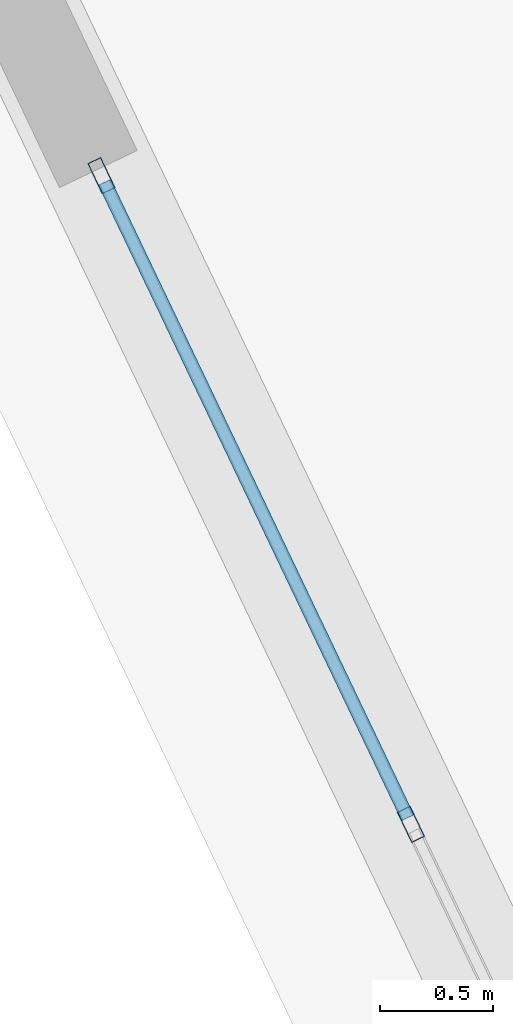
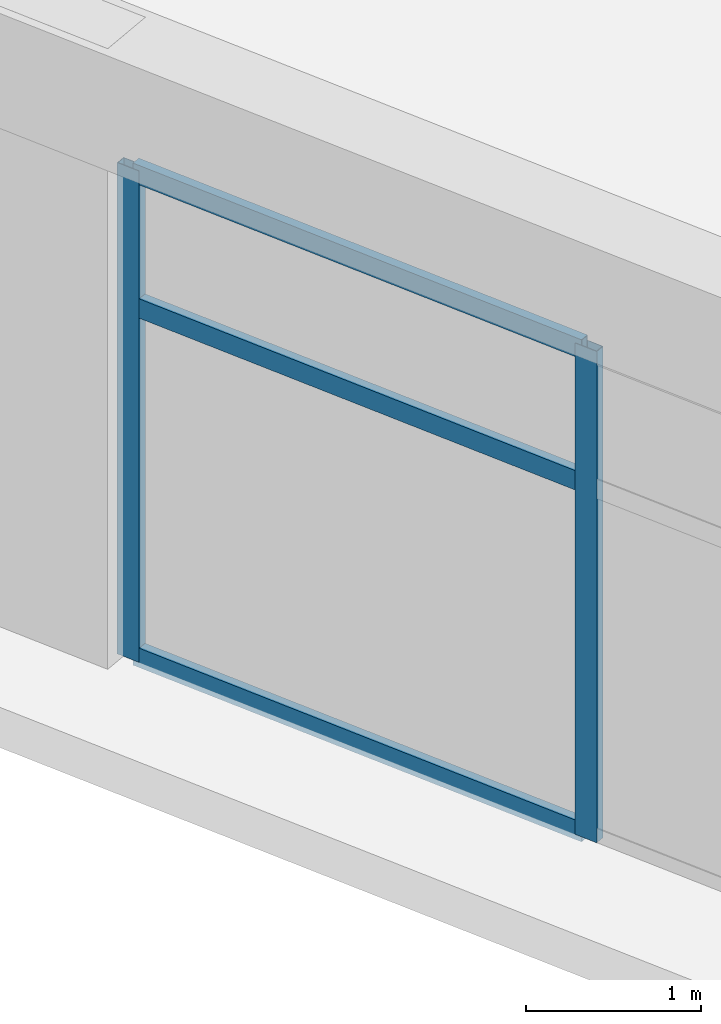
# One storey, part 16 of 35: 5 members, 1 element without a shape of its own.
"""IFC4 building model written with IfcOpenShell, lengths in metres."""

from ifc_helpers import new_model, si_unit, direction, frame, origin, origin_2d, place, context, subcontext, project, spatial, hollow_rectangle, extrude, source, transform, mapped, material, layer, layer_set, material_profile, profile_set, type_object, element, aggregate, save


model = new_model("IFC4")

# Units and contexts
model_context = context("Model", 3, precision=1e-05, world=origin(), true_north=direction((0.0, 1.0)))
body_context = subcontext(model_context, "Body", "Model", "MODEL_VIEW")
ifc_project = project(units=[si_unit("LENGTHUNIT", "METRE"), si_unit("AREAUNIT", "SQUARE_METRE"), si_unit("VOLUMEUNIT", "CUBIC_METRE"), si_unit("PLANEANGLEUNIT", "RADIAN"), si_unit("MASSUNIT", "GRAM", prefix="KILO")], contexts=[model_context])

# Site, building, storey
site_placement = place(None, origin())
site = spatial("IfcSite", under=ifc_project, at=site_placement, CompositionType="ELEMENT")
building_placement = place(site_placement, origin())
building = spatial("IfcBuilding", under=site, at=building_placement, Name="Liaohun Quay Tower", CompositionType="ELEMENT")
storey_placement = place(building_placement, frame((0.0, 0.0, 282.0)))
storey = spatial("IfcBuildingStorey", under=building, at=storey_placement, Name="L73", CompositionType="ELEMENT", Elevation=282.0)

# Curtain wall, members
ifc_material_1 = material(Name="Upper sky-lobby belvedere curtain wall")
ifc_layer = layer(ifc_material_1, 0.199951171875, Name="Upper sky-lobby belvedere curtain wall")
ifc_layer_set = layer_set([ifc_layer], Name="Upper sky-lobby belvedere curtain wall")
curtain_wall_type = type_object("IfcCurtainWallType", Name="CW-SKY-L73", PredefinedType="NOTDEFINED", material=ifc_layer_set)
curtain_wall_placement = place(storey_placement, origin())
curtain_wall = element("IfcCurtainWall", 1, at=curtain_wall_placement, inside=storey, type_object=curtain_wall_type, Name="L73 Panoramic Belvedere Curtain Wall 05", PredefinedType="NOTDEFINED")
ifc_material_2 = material(Name="Anodised aluminium 6063-T6", Category="aluminium")
ifc_material_profile_1 = material_profile(ifc_material_2, hollow_rectangle(XDim=0.06494140625, YDim=0.14990234375, WallThickness=0.00390625, at=origin_2d()), Name="RHS150x65x4")
ifc_profile_set_1 = profile_set([ifc_material_profile_1], Name="Anodised aluminium 6063-T6")
member_type_1 = type_object("IfcMemberType", Name="MEM-CWM-SKY", PredefinedType="MULLION", material=ifc_profile_set_1)
shared_shape_1 = source(origin(), body_context, "Body", "SweptSolid", [
    extrude(hollow_rectangle(XDim=0.06494140625, YDim=0.14990234375, WallThickness=0.00390625, at=origin_2d()), origin(), (0.0, 0.0, 1.0), 3.419921875),
])
member_1_placement = place(storey_placement, frame((32.718017578125, 58.251708984375, 0.0), z_axis=(0.0, 0.0, 1.0), x_axis=(0.902554178567, 0.430576305375, 0.0)))
member_1 = element("IfcMember", 2, at=member_1_placement, type_object=member_type_1, Name="CW5 mullion 1", PredefinedType="MULLION", context=body_context, shape_type="MappedRepresentation", body=[
    mapped(shared_shape_1, transform((0.0, 0.0, 0.0), x_axis=(1.0, 0.0, 0.0), y_axis=(0.0, 1.0, 0.0), z_axis=(0.0, 0.0, 1.0), scale=1.0)),
])
member_2_placement = place(storey_placement, frame((34.08203125, 55.392578125, 0.0), z_axis=(0.0, 0.0, 1.0), x_axis=(0.902554178567, 0.430576305375, 0.0)))
member_2 = element("IfcMember", 3, at=member_2_placement, type_object=member_type_1, Name="CW5 mullion 2", PredefinedType="MULLION", context=body_context, shape_type="MappedRepresentation", body=[
    mapped(shared_shape_1, transform((0.0, 0.0, 0.0), x_axis=(1.0, 0.0, 0.0), y_axis=(0.0, 1.0, 0.0), z_axis=(0.0, 0.0, 1.0), scale=1.0)),
])
ifc_material_profile_2 = material_profile(ifc_material_2, hollow_rectangle(XDim=0.06005859375, YDim=0.135009765625, WallThickness=0.00390625, at=origin_2d()), Name="RHS135x60x4")
ifc_profile_set_2 = profile_set([ifc_material_profile_2], Name="Anodised aluminium 6063-T6")
member_type_2 = type_object("IfcMemberType", Name="MEM-CWT-SKY", PredefinedType="USERDEFINED", material=ifc_profile_set_2)
shared_shape_2 = source(origin(), body_context, "Body", "SweptSolid", [
    extrude(hollow_rectangle(XDim=0.06005859375, YDim=0.135009765625, WallThickness=0.00390625, at=origin_2d()), origin(), (0.0, 0.0, 1.0), 3.10302734375),
])
member_3_placement = place(storey_placement, frame((32.73193359375, 58.222412109375, 0.030029296875), z_axis=(0.430614525511, -0.902535944115, 0.0), x_axis=(0.902535944115, 0.430614525511, 0.0)))
member_3 = element("IfcMember", 4, at=member_3_placement, type_object=member_type_2, Name="CW5 transom 1.1", ObjectType="TRANSOM", PredefinedType="USERDEFINED", context=body_context, shape_type="MappedRepresentation", body=[
    mapped(shared_shape_2, transform((0.0, 0.0, 0.0), x_axis=(1.0, 0.0, 0.0), y_axis=(0.0, 1.0, 0.0), z_axis=(0.0, 0.0, 1.0), scale=1.0)),
])
member_4_placement = place(storey_placement, frame((32.73193359375, 58.222412109375, 2.4619140625), z_axis=(0.430614525511, -0.902535944115, 0.0), x_axis=(0.902535944115, 0.430614525511, 0.0)))
member_4 = element("IfcMember", 5, at=member_4_placement, type_object=member_type_2, Name="CW5 transom 1.2", ObjectType="TRANSOM", PredefinedType="USERDEFINED", context=body_context, shape_type="MappedRepresentation", body=[
    mapped(shared_shape_2, transform((0.0, 0.0, 0.0), x_axis=(1.0, 0.0, 0.0), y_axis=(0.0, 1.0, 0.0), z_axis=(0.0, 0.0, 1.0), scale=1.0)),
])
member_5_placement = place(storey_placement, frame((32.73193359375, 58.222412109375, 3.389892578125), z_axis=(0.430614525511, -0.902535944115, 0.0), x_axis=(0.902535944115, 0.430614525511, 0.0)))
member_5 = element("IfcMember", 6, at=member_5_placement, type_object=member_type_2, Name="CW5 transom 1.3", ObjectType="TRANSOM", PredefinedType="USERDEFINED", context=body_context, shape_type="MappedRepresentation", body=[
    mapped(shared_shape_2, transform((0.0, 0.0, 0.0), x_axis=(1.0, 0.0, 0.0), y_axis=(0.0, 1.0, 0.0), z_axis=(0.0, 0.0, 1.0), scale=1.0)),
])
aggregate(curtain_wall, [member_1, member_2, member_3, member_4, member_5])

save(model, "model.ifc")
